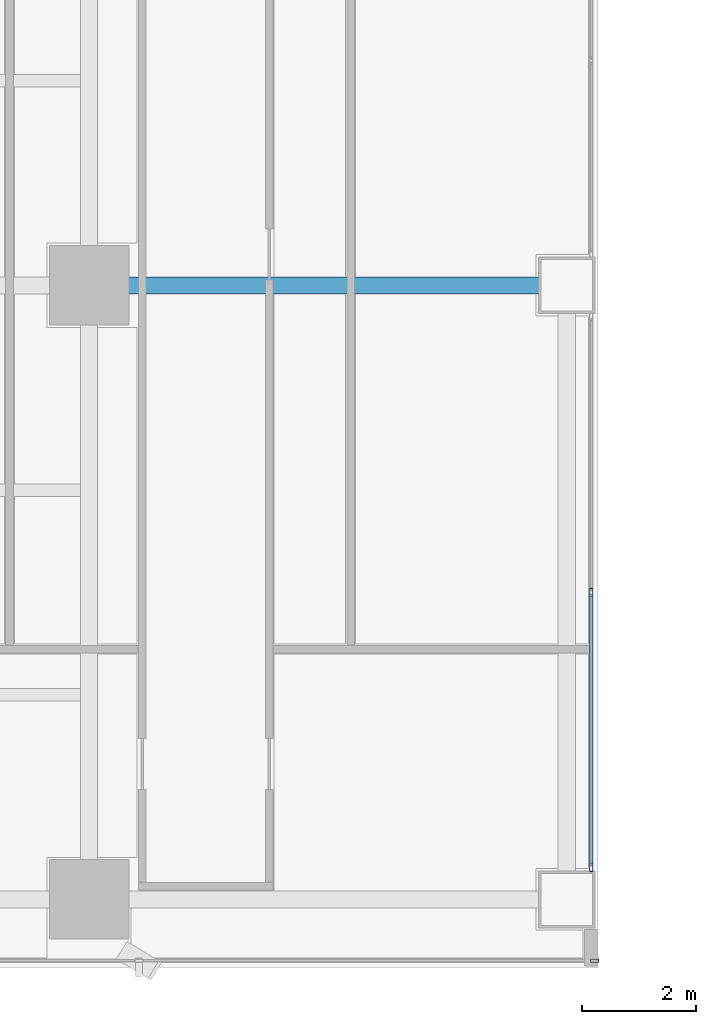
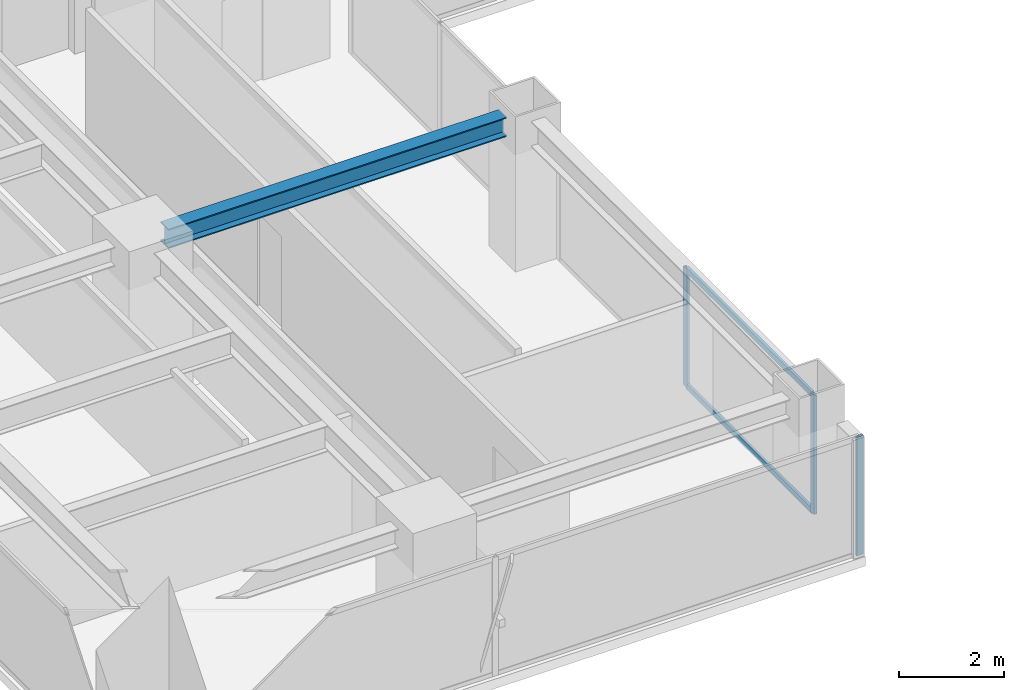
# One storey, part 5 of 30: 5 members, 1 beam, 2 elements without a shape of their own.
"""IFC4 building model written with IfcOpenShell, lengths in metres."""

from ifc_helpers import new_model, si_unit, direction, frame, origin, origin_2d, place, context, subcontext, project, spatial, hollow_rectangle, i_section, extrude, source, transform, mapped, material, layer, layer_set, material_profile, profile_set, type_object, element, aggregate, save


model = new_model("IFC4")

# Units and contexts
model_context = context("Model", 3, precision=1e-05, world=origin(), true_north=direction((0.0, 1.0)))
body_context = subcontext(model_context, "Body", "Model", "MODEL_VIEW")
ifc_project = project(units=[si_unit("LENGTHUNIT", "METRE"), si_unit("AREAUNIT", "SQUARE_METRE"), si_unit("VOLUMEUNIT", "CUBIC_METRE"), si_unit("PLANEANGLEUNIT", "RADIAN"), si_unit("MASSUNIT", "GRAM", prefix="KILO")], contexts=[model_context])

# Site, building, storey
site_placement = place(None, origin())
site = spatial("IfcSite", under=ifc_project, at=site_placement, CompositionType="ELEMENT")
building_placement = place(site_placement, origin())
building = spatial("IfcBuilding", under=site, at=building_placement, Name="Sumidabori Civic Tower", CompositionType="ELEMENT")
storey_placement = place(building_placement, frame((0.0, 0.0, 200.0)))
storey = spatial("IfcBuildingStorey", under=building, at=storey_placement, Name="L51", CompositionType="ELEMENT", Elevation=200.0)

# Beam
ifc_material_1 = material(Name="Steel SN490", Category="steel")
ifc_material_profile_1 = material_profile(ifc_material_1, i_section(OverallWidth=0.300048828125, OverallDepth=0.449951171875, WebThickness=0.013916015625, FlangeThickness=0.02587890625, at=origin_2d()), Name="HE 450 B")
ifc_profile_set_1 = profile_set([ifc_material_profile_1], Name="Steel SN490")
beam_type = type_object("IfcBeamType", Name="BM-GIRD-450", PredefinedType="BEAM", material=ifc_profile_set_1)
shared_shape_1 = source(origin(), body_context, "Body", "SweptSolid", [
    extrude(i_section(OverallWidth=0.300048828125, OverallDepth=0.449951171875, WebThickness=0.013916015625, FlangeThickness=0.02587890625, at=origin_2d()), origin(), (0.0, 0.0, 1.0), 7.440185546875),
])
beam_placement = place(storey_placement, frame((-16.320068359375, 0.0, 3.155029296875), z_axis=(1.0, 0.0, 0.0), x_axis=(0.0, 1.0, 0.0)))
element("IfcBeam", 1, at=beam_placement, inside=storey, type_object=beam_type, Name="Primary Girder L51 GX-06", PredefinedType="BEAM", context=body_context, shape_type="MappedRepresentation", body=[
    mapped(shared_shape_1, transform((0.0, 0.0, 0.0), x_axis=(1.0, 0.0, 0.0), y_axis=(0.0, 1.0, 0.0), z_axis=(0.0, 0.0, 1.0), scale=1.0)),
])

# Curtain wall, member
ifc_material_2 = material(Name="Anodised Bronze Aluminium AW-6063-T6", Category="aluminium")
ifc_layer_1 = layer(ifc_material_2, 0.179931640625, Name="Anodised Bronze Aluminium AW-6063-T6")
ifc_layer_set_1 = layer_set([ifc_layer_1], Name="Anodised Bronze Aluminium AW-6063-T6")
curtain_wall_type_1 = type_object("IfcCurtainWallType", Name="CW-SYS-5", PredefinedType="NOTDEFINED", material=ifc_layer_set_1)
curtain_wall_1_placement = place(storey_placement, origin())
curtain_wall_1 = element("IfcCurtainWall", 2, at=curtain_wall_1_placement, inside=storey, type_object=curtain_wall_type_1, Name="Curtain Wall CW:L51:R01", PredefinedType="NOTDEFINED")
ifc_material_profile_2 = material_profile(ifc_material_2, hollow_rectangle(XDim=0.06005859375, YDim=0.139892578125, WallThickness=0.0048828125, at=origin_2d()), Name="ALU MULLION 140x60")
ifc_profile_set_2 = profile_set([ifc_material_profile_2], Name="Anodised Bronze Aluminium AW-6063-T6")
member_type_1 = type_object("IfcMemberType", Name="CW-MUL-140", PredefinedType="MULLION", material=ifc_profile_set_2)
shared_shape_2 = source(origin(), body_context, "Body", "SweptSolid", [
    extrude(hollow_rectangle(XDim=0.06005859375, YDim=0.139892578125, WallThickness=0.0048828125, at=origin_2d()), origin(), (0.0, 0.0, 1.0), 2.760009765625),
])
member_1_placement = place(storey_placement, frame((-7.909912109375, -11.8798828125, 0.0), z_axis=(0.0, 0.0, 1.0), x_axis=(0.0, 1.0, 0.0)))
member_1 = element("IfcMember", 3, at=member_1_placement, type_object=member_type_1, Name="CW-5 mullion 3", PredefinedType="MULLION", context=body_context, shape_type="MappedRepresentation", body=[
    mapped(shared_shape_2, transform((0.0, 0.0, 0.0), x_axis=(1.0, 0.0, 0.0), y_axis=(0.0, 1.0, 0.0), z_axis=(0.0, 0.0, 1.0), scale=1.0)),
])
aggregate(curtain_wall_1, [member_1])

# Curtain wall, members
ifc_layer_2 = layer(ifc_material_2, 0.179931640625, Name="Anodised Bronze Aluminium AW-6063-T6")
ifc_layer_set_2 = layer_set([ifc_layer_2], Name="Anodised Bronze Aluminium AW-6063-T6")
curtain_wall_type_2 = type_object("IfcCurtainWallType", Name="CW-SYS-4", PredefinedType="NOTDEFINED", material=ifc_layer_set_2)
curtain_wall_2_placement = place(storey_placement, origin())
curtain_wall_2 = element("IfcCurtainWall", 4, at=curtain_wall_2_placement, inside=storey, type_object=curtain_wall_type_2, Name="Curtain Wall CW:L51:R03", PredefinedType="NOTDEFINED")
member_2_placement = place(storey_placement, frame((-7.969970703125, -10.239990234375, 0.0), z_axis=(0.0, 0.0, 1.0), x_axis=(-1.0, 0.0, 0.0)))
member_2 = element("IfcMember", 5, at=member_2_placement, type_object=member_type_1, Name="CW-4 mullion 1", PredefinedType="MULLION", context=body_context, shape_type="MappedRepresentation", body=[
    mapped(shared_shape_2, transform((0.0, 0.0, 0.0), x_axis=(1.0, 0.0, 0.0), y_axis=(0.0, 1.0, 0.0), z_axis=(0.0, 0.0, 1.0), scale=1.0)),
])
member_3_placement = place(storey_placement, frame((-7.969970703125, -5.39990234375, 0.0), z_axis=(0.0, 0.0, 1.0), x_axis=(-1.0, 0.0, 0.0)))
member_3 = element("IfcMember", 6, at=member_3_placement, type_object=member_type_1, Name="CW-4 mullion 2", PredefinedType="MULLION", context=body_context, shape_type="MappedRepresentation", body=[
    mapped(shared_shape_2, transform((0.0, 0.0, 0.0), x_axis=(1.0, 0.0, 0.0), y_axis=(0.0, 1.0, 0.0), z_axis=(0.0, 0.0, 1.0), scale=1.0)),
])
ifc_material_profile_3 = material_profile(ifc_material_2, hollow_rectangle(XDim=0.06005859375, YDim=0.1298828125, WallThickness=0.0048828125, at=origin_2d()), Name="ALU TRANSOM 130x60")
ifc_profile_set_3 = profile_set([ifc_material_profile_3], Name="Anodised Bronze Aluminium AW-6063-T6")
member_type_2 = type_object("IfcMemberType", Name="CW-TRN-130", PredefinedType="USERDEFINED", material=ifc_profile_set_3)
shared_shape_3 = source(origin(), body_context, "Body", "SweptSolid", [
    extrude(hollow_rectangle(XDim=0.06005859375, YDim=0.1298828125, WallThickness=0.0048828125, at=origin_2d()), origin(), (0.0, 0.0, 1.0), 4.780029296875),
])
member_4_placement = place(storey_placement, frame((-7.969970703125, -10.2099609375, 0.030029296875), z_axis=(0.0, 1.0, 0.0), x_axis=(-1.0, 0.0, 0.0)))
member_4 = element("IfcMember", 7, at=member_4_placement, type_object=member_type_2, Name="CW-4 transom 1.1", ObjectType="TRANSOM", PredefinedType="USERDEFINED", context=body_context, shape_type="MappedRepresentation", body=[
    mapped(shared_shape_3, transform((0.0, 0.0, 0.0), x_axis=(1.0, 0.0, 0.0), y_axis=(0.0, 1.0, 0.0), z_axis=(0.0, 0.0, 1.0), scale=1.0)),
])
member_5_placement = place(storey_placement, frame((-7.969970703125, -10.2099609375, 2.72998046875), z_axis=(0.0, 1.0, 0.0), x_axis=(-1.0, 0.0, 0.0)))
member_5 = element("IfcMember", 8, at=member_5_placement, type_object=member_type_2, Name="CW-4 transom 1.2", ObjectType="TRANSOM", PredefinedType="USERDEFINED", context=body_context, shape_type="MappedRepresentation", body=[
    mapped(shared_shape_3, transform((0.0, 0.0, 0.0), x_axis=(1.0, 0.0, 0.0), y_axis=(0.0, 1.0, 0.0), z_axis=(0.0, 0.0, 1.0), scale=1.0)),
])
aggregate(curtain_wall_2, [member_2, member_3, member_4, member_5])

save(model, "model.ifc")
